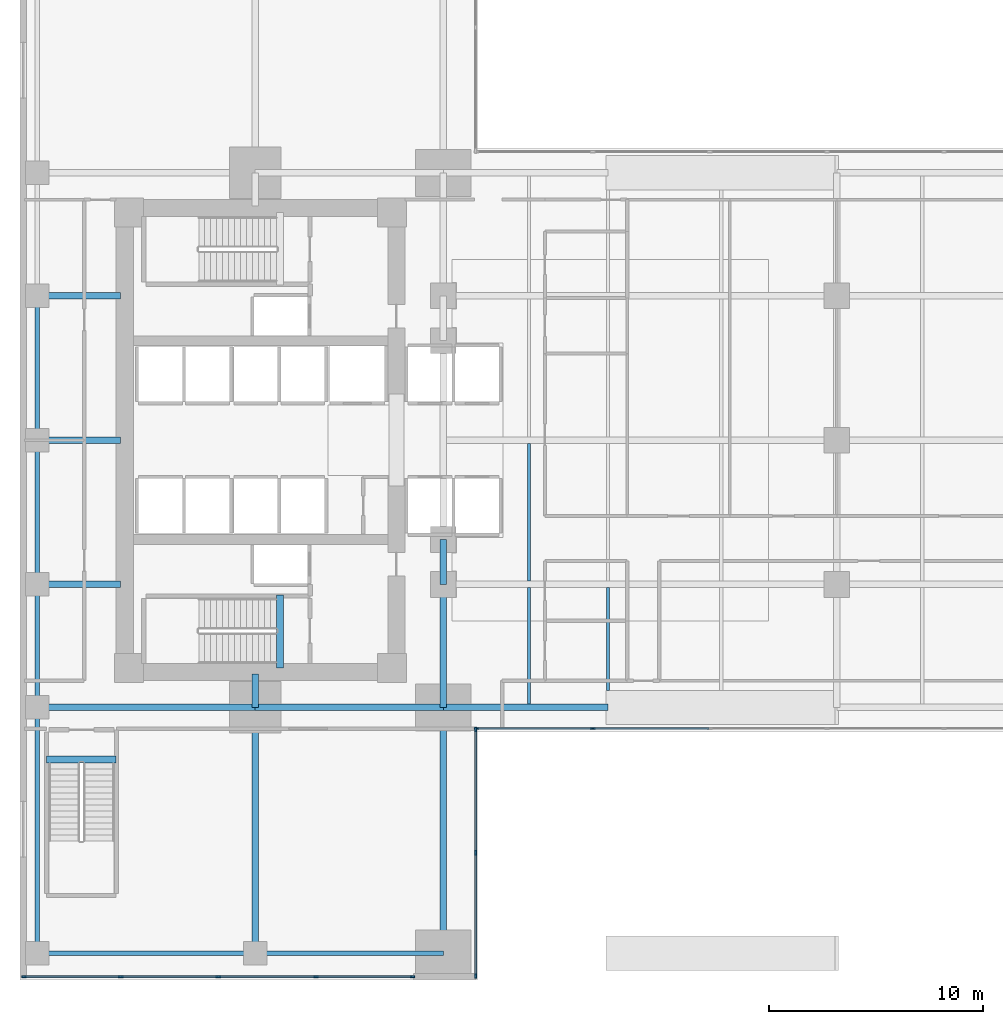
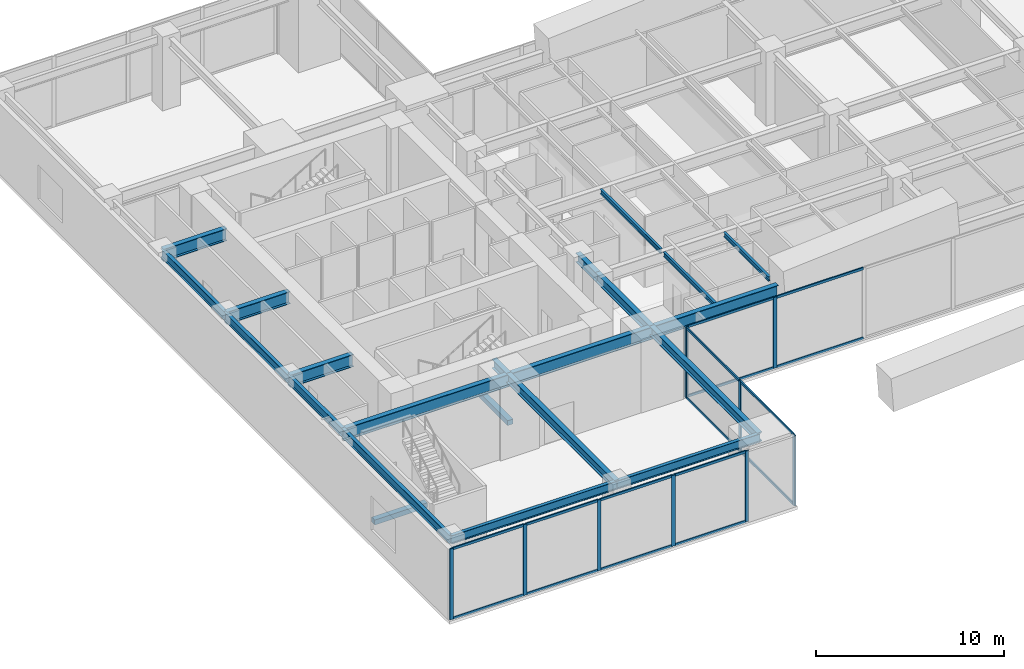
# One storey, part 2 of 13: 26 members, 22 beams, 3 elements without a shape of their own.
"""IFC4 building model written with IfcOpenShell, lengths in metres."""

import ifcopenshell
import ifcopenshell.guid

model = None  # the IFC model being written
_history = None  # IfcOwnerHistory: only IFC2X3 demands one
_inside = {}  # id of a spatial element -> (the spatial element, [elements in it])
_under = {}  # id of a project, library or spatial element -> (it, [spatial elements below it])
_declared = {}  # id of a project -> (the project, [libraries it declares])
_typed = {}  # id of a type object -> (the type object, [elements of that type])
_made_of = {}  # id of a material, layer set ... -> (it, [elements and type objects made of it])


def new_model(schema):
    """Start an empty IFC model of exactly this schema.

    Asked for "IFC4X3", IfcOpenShell would pick the latest addendum, in which some entities
    have other attributes; the version numbers below select the first issue.
    IFC2X3 requires an IfcOwnerHistory on every rooted entity: one is made here for all.
    """
    global model, _history
    if schema == "IFC4X3":
        model = ifcopenshell.file(schema_version=(4, 3, 0, 0))
    else:
        model = ifcopenshell.file(schema=schema)
    _inside.clear()
    _under.clear()
    _declared.clear()
    _typed.clear()
    _made_of.clear()
    _history = None
    if model.schema == "IFC2X3":
        org = make("IfcOrganization", Name="unknown")
        user = make(
            "IfcPersonAndOrganization",
            ThePerson=make("IfcPerson", FamilyName="unknown"),
            TheOrganization=org,
        )
        app = make(
            "IfcApplication",
            ApplicationDeveloper=org,
            Version="unknown",
            ApplicationFullName="unknown",
            ApplicationIdentifier="unknown",
        )
        _history = make(
            "IfcOwnerHistory",
            OwningUser=user,
            OwningApplication=app,
            ChangeAction="ADDED",
            CreationDate=0,
        )
    return model


def make(cls, **values):
    """One entity of the class cls with the attributes given. An attribute that is None is left unset."""
    return model.create_entity(
        cls, **{name: value for name, value in values.items() if value is not None}
    )


def rooted(cls, **values):
    """An entity with a GlobalId (a new one), such as an element, a storey or a relation."""
    return make(cls, GlobalId=ifcopenshell.guid.new(), OwnerHistory=_history, **values)


def si_unit(unit_type, name, prefix=None):
    """IfcSIUnit, for example si_unit("LENGTHUNIT", "METRE", prefix="MILLI")."""
    return make("IfcSIUnit", UnitType=unit_type, Prefix=prefix, Name=name)


def assignment(units):
    """IfcUnitAssignment: the units of a project."""
    return None if units is None else make("IfcUnitAssignment", Units=units)


def point(xyz):
    """IfcCartesianPoint."""
    return None if xyz is None else make("IfcCartesianPoint", Coordinates=xyz)


def direction(xyz):
    """IfcDirection."""
    return None if xyz is None else make("IfcDirection", DirectionRatios=xyz)


def frame(location, z_axis=None, x_axis=None):
    """IfcAxis2Placement3D, a coordinate frame: its origin and axes. An axis left out is left unset."""
    return make(
        "IfcAxis2Placement3D",
        Location=point(location),
        Axis=direction(z_axis),
        RefDirection=direction(x_axis),
    )


def frame_2d(location, x_axis=None):
    """IfcAxis2Placement2D, a coordinate frame in the plane: its origin and x axis."""
    return make(
        "IfcAxis2Placement2D", Location=point(location), RefDirection=direction(x_axis)
    )


def origin():
    """The frame at (0, 0, 0) with its axes left unset."""
    return frame((0.0, 0.0, 0.0))


def origin_2d():
    """The frame at (0, 0) in the plane with its x axis left unset."""
    return frame_2d((0.0, 0.0))


def place(relative_to, where):
    """IfcLocalPlacement: puts the frame where relative to a parent placement (None: the world)."""
    return make(
        "IfcLocalPlacement", PlacementRelTo=relative_to, RelativePlacement=where
    )


def context(
    kind, dimensions, precision=None, world=None, true_north=None, identifier=None
):
    """IfcGeometricRepresentationContext, for example the 3D "Model" context."""
    return make(
        "IfcGeometricRepresentationContext",
        ContextIdentifier=identifier,
        ContextType=kind,
        CoordinateSpaceDimension=dimensions,
        Precision=precision,
        WorldCoordinateSystem=world,
        TrueNorth=true_north,
    )


def subcontext(parent, identifier, kind, view, scale=None):
    """IfcGeometricRepresentationSubContext, for example "Body" below "Model"."""
    return make(
        "IfcGeometricRepresentationSubContext",
        ContextIdentifier=identifier,
        ContextType=kind,
        ParentContext=parent,
        TargetScale=scale,
        TargetView=view,
    )


def project(units=None, contexts=None):
    """IfcProject with its units and contexts."""
    return rooted(
        "IfcProject",
        Name="project",
        RepresentationContexts=contexts,
        UnitsInContext=assignment(units),
    )


def spatial(cls, under=None, at=None, **own):
    """A site, building, storey or space (cls), placed at a placement, below another one or the project."""
    s = rooted(cls, ObjectPlacement=at, **own)
    if under is not None:
        _under.setdefault(under.id(), (under, []))[1].append(s)
    return s


def profile(cls, at=None, kind="AREA", **sizes):
    """A parametric profile (cls). Its sizes go by their IFC names, for example OverallWidth=200.0."""
    return make(cls, ProfileType=kind, Position=at, **sizes)


def rectangle(**sizes):
    """IfcRectangleProfileDef."""
    return profile("IfcRectangleProfileDef", **sizes)


def i_section(**sizes):
    """IfcIShapeProfileDef."""
    return profile("IfcIShapeProfileDef", **sizes)


def extrude(swept, where, along, depth):
    """IfcExtrudedAreaSolid: the profile swept, set in the frame where, extruded along a direction by depth."""
    return make(
        "IfcExtrudedAreaSolid",
        SweptArea=swept,
        Position=where,
        ExtrudedDirection=direction(along),
        Depth=depth,
    )


def shape(context_of_items, identifier, shape_type, items):
    """IfcShapeRepresentation: the items that make up one representation, for example the "Body"."""
    return make(
        "IfcShapeRepresentation",
        ContextOfItems=context_of_items,
        RepresentationIdentifier=identifier,
        RepresentationType=shape_type,
        Items=items,
    )


def material(Name=None, Category=None):
    """IfcMaterial."""
    return make("IfcMaterial", Name=Name, Category=Category)


def layer(
    of_material, thickness, ventilated=None, Name=None, Category=None, Priority=None
):
    """IfcMaterialLayer: one layer of a wall or slab, of a material (None: an air gap)."""
    return make(
        "IfcMaterialLayer",
        Material=of_material,
        LayerThickness=thickness,
        IsVentilated=ventilated,
        Name=Name,
        Category=Category,
        Priority=Priority,
    )


def layer_set(layers, Name=None):
    """IfcMaterialLayerSet."""
    return make("IfcMaterialLayerSet", MaterialLayers=layers, LayerSetName=Name)


def material_profile(
    of_material, cross_section, Name=None, Category=None, Priority=None
):
    """IfcMaterialProfile: a cross section and its material."""
    return make(
        "IfcMaterialProfile",
        Name=Name,
        Material=of_material,
        Profile=cross_section,
        Priority=Priority,
        Category=Category,
    )


def profile_set(profiles, Name=None, composite=None):
    """IfcMaterialProfileSet."""
    return make(
        "IfcMaterialProfileSet",
        Name=Name,
        MaterialProfiles=profiles,
        CompositeProfile=composite,
    )


def made_of(thing, what):
    """Note that an element or type object is made of a material, layer set ...; save() writes the relation."""
    if what is not None:
        _made_of.setdefault(what.id(), (what, []))[1].append(thing)
    return thing


def type_object(cls, material=None, **own):
    """A type object (cls), such as IfcWallType, which elements share."""
    return made_of(rooted(cls, **own), material)


def element(
    cls,
    number,
    at=None,
    inside=None,
    cuts=None,
    type_object=None,
    material=None,
    context=None,
    identifier="Body",
    shape_type=None,
    held_by="IfcProductDefinitionShape",
    body=None,
    shapes=None,
    **own,
):
    """One element of the class cls, such as IfcWall. Its Tag is "e" and its number.

    at: its placement. inside: the storey or other place that contains it. cuts: it is an
    opening in that element (IfcRelVoidsElement). A single representation is given by context,
    identifier, shape_type and body (its items); several are given by shapes. held_by: the class
    of the entity that holds the representations. save() writes the other relations.
    """
    e = rooted(cls, Tag="e%d" % number, ObjectPlacement=at, **own)
    if body is not None:
        shapes = [shape(context, identifier, shape_type, body)]
    if shapes is not None:
        e.Representation = make(held_by, Representations=shapes)
    if inside is not None:
        _inside.setdefault(inside.id(), (inside, []))[1].append(e)
    if cuts is not None:
        rooted(
            "IfcRelVoidsElement", RelatingBuildingElement=cuts, RelatedOpeningElement=e
        )
    if type_object is not None:
        _typed.setdefault(type_object.id(), (type_object, []))[1].append(e)
    return made_of(e, material)


def aggregate(whole, parts):
    """IfcRelAggregates: a whole, such as a stair, and the parts it consists of."""
    return rooted("IfcRelAggregates", RelatingObject=whole, RelatedObjects=parts)


def save(model, path):
    """Write the relations noted so far, then the file.

    IfcRelAggregates (storeys below a building ...), IfcRelContainedInSpatialStructure (elements
    in a storey), IfcRelDefinesByType, IfcRelAssociatesMaterial and IfcRelDeclares: one each for
    every whole, place, type object, material and project.
    """
    for whole, parts in _under.values():
        aggregate(whole, parts)
    for where, things in _inside.values():
        rooted(
            "IfcRelContainedInSpatialStructure",
            RelatedElements=things,
            RelatingStructure=where,
        )
    for kind, things in _typed.values():
        rooted("IfcRelDefinesByType", RelatedObjects=things, RelatingType=kind)
    for what, things in _made_of.values():
        rooted("IfcRelAssociatesMaterial", RelatedObjects=things, RelatingMaterial=what)
    for by, libraries in _declared.values():
        rooted("IfcRelDeclares", RelatingContext=by, RelatedDefinitions=libraries)
    model.write(path)


model = new_model("IFC4")

# Units and contexts
model_context = context("Model", 3, precision=1e-05, world=origin(), true_north=direction((0.0, 1.0)))
body_context = subcontext(model_context, "Body", "Model", "MODEL_VIEW")
ifc_project = project(units=[si_unit("LENGTHUNIT", "METRE"), si_unit("AREAUNIT", "SQUARE_METRE"), si_unit("VOLUMEUNIT", "CUBIC_METRE"), si_unit("PLANEANGLEUNIT", "RADIAN"), si_unit("MASSUNIT", "GRAM", prefix="KILO")], contexts=[model_context])

# Site, building, storey
site_placement = place(None, origin())
site = spatial("IfcSite", under=ifc_project, at=site_placement, CompositionType="ELEMENT")
building_placement = place(site_placement, origin())
building = spatial("IfcBuilding", under=site, at=building_placement, Name="Kinhvarn Gate Tower", CompositionType="ELEMENT")
storey_placement = place(building_placement, frame((0.0, 0.0, 10.800048828125)))
storey = spatial("IfcBuildingStorey", under=building, at=storey_placement, Name="L02", CompositionType="ELEMENT", Elevation=10.800048828125)

# Beams
ifc_material_1 = material(Name="Concrete C50/60", Category="concrete")
ifc_material_profile_1 = material_profile(ifc_material_1, rectangle(XDim=0.340087890625, YDim=0.320068359375, at=origin_2d()), Name="RC 340x320")
ifc_profile_set_1 = profile_set([ifc_material_profile_1], Name="Concrete C50/60")
beam_type_1 = type_object("IfcBeamType", Name="BM-LND-500", PredefinedType="BEAM", material=ifc_profile_set_1)
beam_1_placement = place(storey_placement, frame((12.1650390625, 14.60009765625, -0.16015625), z_axis=(0.0, 1.0, 0.0), x_axis=(-1.0, 0.0, 0.0)))
element("IfcBeam", 1, at=beam_1_placement, inside=storey, type_object=beam_type_1, Name="Stair ST1 Landing Nosing Beam (L02)", PredefinedType="BEAM", context=body_context, shape_type="SweptSolid", body=[
    extrude(rectangle(XDim=0.340087890625, YDim=0.320068359375, at=origin_2d()), origin(), (0.0, 0.0, 1.0), 3.39990234375),
])
beam_2_placement = place(storey_placement, frame((1.25, 10.31494140625, -0.16015625), z_axis=(1.0, 0.0, 0.0), x_axis=(0.0, 1.0, 0.0)))
element("IfcBeam", 2, at=beam_2_placement, inside=storey, type_object=beam_type_1, Name="Stair ST3 Landing Nosing Beam (L02)", PredefinedType="BEAM", context=body_context, shape_type="SweptSolid", body=[
    extrude(rectangle(XDim=0.340087890625, YDim=0.320068359375, at=origin_2d()), origin(), (0.0, 0.0, 1.0), 3.25),
])

# Curtain wall, members
ifc_material_2 = material(Name="Anodised aluminium AW-6063", Category="aluminium")
ifc_layer = layer(ifc_material_2, 0.219970703125)
ifc_layer_set = layer_set([ifc_layer], Name="Anodised aluminium AW-6063")
curtain_wall_type = type_object("IfcCurtainWallType", Name="CW-SYS-1", PredefinedType="NOTDEFINED", material=ifc_layer_set)
curtain_wall_1_placement = place(storey_placement, origin())
curtain_wall_1 = element("IfcCurtainWall", 3, at=curtain_wall_1_placement, inside=storey, type_object=curtain_wall_type, Name="Curtain Wall CW1 (L02)", PredefinedType="NOTDEFINED")
ifc_material_profile_2 = material_profile(ifc_material_2, rectangle(XDim=0.080078125, YDim=0.219970703125, at=origin_2d()), Name="ALU 80x220")
ifc_profile_set_2 = profile_set([ifc_material_profile_2], Name="Anodised aluminium AW-6063")
member_type_1 = type_object("IfcMemberType", Name="CW-MUL-220", PredefinedType="MULLION", material=ifc_profile_set_2)
member_1_placement = place(storey_placement, frame((0.18994140625, 0.14990234375, 0.0), z_axis=(0.0, 0.0, 1.0), x_axis=(0.0, 1.0, 0.0)))
member_1 = element("IfcMember", 4, at=member_1_placement, type_object=member_type_1, Name="CW1 mullion 1", PredefinedType="MULLION", context=body_context, shape_type="SweptSolid", body=[
    extrude(rectangle(XDim=0.080078125, YDim=0.219970703125, at=origin_2d()), origin(), (0.0, 0.0, 1.0), 4.599853515625),
])
member_2_placement = place(storey_placement, frame((4.71240234375, 0.14990234375, 0.0), z_axis=(0.0, 0.0, 1.0), x_axis=(0.0, 1.0, 0.0)))
member_2 = element("IfcMember", 5, at=member_2_placement, type_object=member_type_1, Name="CW1 mullion 2", PredefinedType="MULLION", context=body_context, shape_type="SweptSolid", body=[
    extrude(rectangle(XDim=0.080078125, YDim=0.219970703125, at=origin_2d()), origin(), (0.0, 0.0, 1.0), 4.599853515625),
])
member_3_placement = place(storey_placement, frame((9.27490234375, 0.14990234375, 0.0), z_axis=(0.0, 0.0, 1.0), x_axis=(0.0, 1.0, 0.0)))
member_3 = element("IfcMember", 6, at=member_3_placement, type_object=member_type_1, Name="CW1 mullion 3", PredefinedType="MULLION", context=body_context, shape_type="SweptSolid", body=[
    extrude(rectangle(XDim=0.080078125, YDim=0.219970703125, at=origin_2d()), origin(), (0.0, 0.0, 1.0), 4.599853515625),
])
member_4_placement = place(storey_placement, frame((13.83740234375, 0.14990234375, 0.0), z_axis=(0.0, 0.0, 1.0), x_axis=(0.0, 1.0, 0.0)))
member_4 = element("IfcMember", 7, at=member_4_placement, type_object=member_type_1, Name="CW1 mullion 4", PredefinedType="MULLION", context=body_context, shape_type="SweptSolid", body=[
    extrude(rectangle(XDim=0.080078125, YDim=0.219970703125, at=origin_2d()), origin(), (0.0, 0.0, 1.0), 4.599853515625),
])
member_5_placement = place(storey_placement, frame((18.360107421875, 0.14990234375, 0.0), z_axis=(0.0, 0.0, 1.0), x_axis=(0.0, 1.0, 0.0)))
member_5 = element("IfcMember", 8, at=member_5_placement, type_object=member_type_1, Name="CW1 mullion 5", PredefinedType="MULLION", context=body_context, shape_type="SweptSolid", body=[
    extrude(rectangle(XDim=0.080078125, YDim=0.219970703125, at=origin_2d()), origin(), (0.0, 0.0, 1.0), 4.599853515625),
])

curtain_wall_2_placement = place(storey_placement, origin())
curtain_wall_2 = element("IfcCurtainWall", 9, at=curtain_wall_2_placement, inside=storey, type_object=curtain_wall_type, Name="Curtain Wall CW1 (L02)", PredefinedType="NOTDEFINED")
member_6_placement = place(storey_placement, frame((21.31005859375, 0.18994140625, 0.0), z_axis=(0.0, 0.0, 1.0), x_axis=(-1.0, 0.0, 0.0)))
member_6 = element("IfcMember", 10, at=member_6_placement, type_object=member_type_1, Name="CW1 mullion 1", PredefinedType="MULLION", context=body_context, shape_type="SweptSolid", body=[
    extrude(rectangle(XDim=0.080078125, YDim=0.219970703125, at=origin_2d()), origin(), (0.0, 0.0, 1.0), 4.599853515625),
])
member_7_placement = place(storey_placement, frame((21.31005859375, 5.955078125, 0.0), z_axis=(0.0, 0.0, 1.0), x_axis=(-1.0, 0.0, 0.0)))
member_7 = element("IfcMember", 11, at=member_7_placement, type_object=member_type_1, Name="CW1 mullion 2", PredefinedType="MULLION", context=body_context, shape_type="SweptSolid", body=[
    extrude(rectangle(XDim=0.080078125, YDim=0.219970703125, at=origin_2d()), origin(), (0.0, 0.0, 1.0), 4.599853515625),
])
member_8_placement = place(storey_placement, frame((21.31005859375, 11.719970703125, 0.0), z_axis=(0.0, 0.0, 1.0), x_axis=(-1.0, 0.0, 0.0)))
member_8 = element("IfcMember", 12, at=member_8_placement, type_object=member_type_1, Name="CW1 mullion 3", PredefinedType="MULLION", context=body_context, shape_type="SweptSolid", body=[
    extrude(rectangle(XDim=0.080078125, YDim=0.219970703125, at=origin_2d()), origin(), (0.0, 0.0, 1.0), 4.599853515625),
])

curtain_wall_3_placement = place(storey_placement, origin())
curtain_wall_3 = element("IfcCurtainWall", 13, at=curtain_wall_3_placement, inside=storey, type_object=curtain_wall_type, Name="Curtain Wall CW1 (L02)", PredefinedType="NOTDEFINED")
member_9_placement = place(storey_placement, frame((21.35009765625, 11.760009765625, 0.0), z_axis=(0.0, 0.0, 1.0), x_axis=(0.0, 1.0, 0.0)))
member_9 = element("IfcMember", 14, at=member_9_placement, type_object=member_type_1, Name="CW1 mullion 1", PredefinedType="MULLION", context=body_context, shape_type="SweptSolid", body=[
    extrude(rectangle(XDim=0.080078125, YDim=0.219970703125, at=origin_2d()), origin(), (0.0, 0.0, 1.0), 4.599853515625),
])
member_10_placement = place(storey_placement, frame((26.785888671875, 11.760009765625, 0.0), z_axis=(0.0, 0.0, 1.0), x_axis=(0.0, 1.0, 0.0)))
member_10 = element("IfcMember", 15, at=member_10_placement, type_object=member_type_1, Name="CW1 mullion 2", PredefinedType="MULLION", context=body_context, shape_type="SweptSolid", body=[
    extrude(rectangle(XDim=0.080078125, YDim=0.219970703125, at=origin_2d()), origin(), (0.0, 0.0, 1.0), 4.599853515625),
])

# Member
ifc_material_profile_3 = material_profile(ifc_material_2, rectangle(XDim=0.080078125, YDim=0.159912109375, at=origin_2d()), Name="ALU 80x160")
ifc_profile_set_3 = profile_set([ifc_material_profile_3], Name="Anodised aluminium AW-6063")
member_type_2 = type_object("IfcMemberType", Name="CW-TRN-160", PredefinedType="USERDEFINED", material=ifc_profile_set_3)
member_11_placement = place(storey_placement, frame((0.22998046875, 0.14990234375, 0.0400390625), z_axis=(1.0, 0.0, 0.0), x_axis=(0.0, 1.0, 0.0)))
member_11 = element("IfcMember", 16, at=member_11_placement, type_object=member_type_2, Name="CW1 transom 1.1", ObjectType="TRANSOM", PredefinedType="USERDEFINED", context=body_context, shape_type="SweptSolid", body=[
    extrude(rectangle(XDim=0.080078125, YDim=0.159912109375, at=origin_2d()), origin(), (0.0, 0.0, 1.0), 4.442626953125),
])

member_12_placement = place(storey_placement, frame((0.22998046875, 0.14990234375, 4.56005859375), z_axis=(1.0, 0.0, 0.0), x_axis=(0.0, 1.0, 0.0)))
member_12 = element("IfcMember", 17, at=member_12_placement, type_object=member_type_2, Name="CW1 transom 1.2", ObjectType="TRANSOM", PredefinedType="USERDEFINED", context=body_context, shape_type="SweptSolid", body=[
    extrude(rectangle(XDim=0.080078125, YDim=0.159912109375, at=origin_2d()), origin(), (0.0, 0.0, 1.0), 4.442626953125),
])

member_13_placement = place(storey_placement, frame((4.75244140625, 0.14990234375, 0.0400390625), z_axis=(1.0, 0.0, 0.0), x_axis=(0.0, 1.0, 0.0)))
member_13 = element("IfcMember", 18, at=member_13_placement, type_object=member_type_2, Name="CW1 transom 2.1", ObjectType="TRANSOM", PredefinedType="USERDEFINED", context=body_context, shape_type="SweptSolid", body=[
    extrude(rectangle(XDim=0.080078125, YDim=0.159912109375, at=origin_2d()), origin(), (0.0, 0.0, 1.0), 4.482666015625),
])

member_14_placement = place(storey_placement, frame((4.75244140625, 0.14990234375, 4.56005859375), z_axis=(1.0, 0.0, 0.0), x_axis=(0.0, 1.0, 0.0)))
member_14 = element("IfcMember", 19, at=member_14_placement, type_object=member_type_2, Name="CW1 transom 2.2", ObjectType="TRANSOM", PredefinedType="USERDEFINED", context=body_context, shape_type="SweptSolid", body=[
    extrude(rectangle(XDim=0.080078125, YDim=0.159912109375, at=origin_2d()), origin(), (0.0, 0.0, 1.0), 4.482666015625),
])

member_15_placement = place(storey_placement, frame((9.31494140625, 0.14990234375, 0.0400390625), z_axis=(1.0, 0.0, 0.0), x_axis=(0.0, 1.0, 0.0)))
member_15 = element("IfcMember", 20, at=member_15_placement, type_object=member_type_2, Name="CW1 transom 3.1", ObjectType="TRANSOM", PredefinedType="USERDEFINED", context=body_context, shape_type="SweptSolid", body=[
    extrude(rectangle(XDim=0.080078125, YDim=0.159912109375, at=origin_2d()), origin(), (0.0, 0.0, 1.0), 4.482666015625),
])

member_16_placement = place(storey_placement, frame((9.31494140625, 0.14990234375, 4.56005859375), z_axis=(1.0, 0.0, 0.0), x_axis=(0.0, 1.0, 0.0)))
member_16 = element("IfcMember", 21, at=member_16_placement, type_object=member_type_2, Name="CW1 transom 3.2", ObjectType="TRANSOM", PredefinedType="USERDEFINED", context=body_context, shape_type="SweptSolid", body=[
    extrude(rectangle(XDim=0.080078125, YDim=0.159912109375, at=origin_2d()), origin(), (0.0, 0.0, 1.0), 4.482666015625),
])

member_17_placement = place(storey_placement, frame((13.87744140625, 0.14990234375, 0.0400390625), z_axis=(1.0, 0.0, 0.0), x_axis=(0.0, 1.0, 0.0)))
member_17 = element("IfcMember", 22, at=member_17_placement, type_object=member_type_2, Name="CW1 transom 4.1", ObjectType="TRANSOM", PredefinedType="USERDEFINED", context=body_context, shape_type="SweptSolid", body=[
    extrude(rectangle(XDim=0.080078125, YDim=0.159912109375, at=origin_2d()), origin(), (0.0, 0.0, 1.0), 4.442626953125),
])

member_18_placement = place(storey_placement, frame((13.87744140625, 0.14990234375, 4.56005859375), z_axis=(1.0, 0.0, 0.0), x_axis=(0.0, 1.0, 0.0)))
member_18 = element("IfcMember", 23, at=member_18_placement, type_object=member_type_2, Name="CW1 transom 4.2", ObjectType="TRANSOM", PredefinedType="USERDEFINED", context=body_context, shape_type="SweptSolid", body=[
    extrude(rectangle(XDim=0.080078125, YDim=0.159912109375, at=origin_2d()), origin(), (0.0, 0.0, 1.0), 4.442626953125),
])

aggregate(curtain_wall_1, [member_1, member_2, member_3, member_4, member_5, member_11, member_12, member_13, member_14, member_15, member_16, member_17, member_18])

member_19_placement = place(storey_placement, frame((21.31005859375, 0.22998046875, 0.0400390625), z_axis=(0.0, 1.0, 0.0), x_axis=(-1.0, 0.0, 0.0)))
member_19 = element("IfcMember", 24, at=member_19_placement, type_object=member_type_2, Name="CW1 transom 1.1", ObjectType="TRANSOM", PredefinedType="USERDEFINED", context=body_context, shape_type="SweptSolid", body=[
    extrude(rectangle(XDim=0.080078125, YDim=0.159912109375, at=origin_2d()), origin(), (0.0, 0.0, 1.0), 5.68505859375),
])

member_20_placement = place(storey_placement, frame((21.31005859375, 0.22998046875, 4.56005859375), z_axis=(0.0, 1.0, 0.0), x_axis=(-1.0, 0.0, 0.0)))
member_20 = element("IfcMember", 25, at=member_20_placement, type_object=member_type_2, Name="CW1 transom 1.2", ObjectType="TRANSOM", PredefinedType="USERDEFINED", context=body_context, shape_type="SweptSolid", body=[
    extrude(rectangle(XDim=0.080078125, YDim=0.159912109375, at=origin_2d()), origin(), (0.0, 0.0, 1.0), 5.68505859375),
])

member_21_placement = place(storey_placement, frame((21.31005859375, 5.9951171875, 0.0400390625), z_axis=(0.0, 1.0, 0.0), x_axis=(-1.0, 0.0, 0.0)))
member_21 = element("IfcMember", 26, at=member_21_placement, type_object=member_type_2, Name="CW1 transom 2.1", ObjectType="TRANSOM", PredefinedType="USERDEFINED", context=body_context, shape_type="SweptSolid", body=[
    extrude(rectangle(XDim=0.080078125, YDim=0.159912109375, at=origin_2d()), origin(), (0.0, 0.0, 1.0), 5.684814453125),
])

member_22_placement = place(storey_placement, frame((21.31005859375, 5.9951171875, 4.56005859375), z_axis=(0.0, 1.0, 0.0), x_axis=(-1.0, 0.0, 0.0)))
member_22 = element("IfcMember", 27, at=member_22_placement, type_object=member_type_2, Name="CW1 transom 2.2", ObjectType="TRANSOM", PredefinedType="USERDEFINED", context=body_context, shape_type="SweptSolid", body=[
    extrude(rectangle(XDim=0.080078125, YDim=0.159912109375, at=origin_2d()), origin(), (0.0, 0.0, 1.0), 5.684814453125),
])

aggregate(curtain_wall_2, [member_6, member_7, member_8, member_19, member_20, member_21, member_22])

member_23_placement = place(storey_placement, frame((21.389892578125, 11.760009765625, 0.0400390625), z_axis=(1.0, 0.0, 0.0), x_axis=(0.0, 1.0, 0.0)))
member_23 = element("IfcMember", 28, at=member_23_placement, type_object=member_type_2, Name="CW1 transom 1.1", ObjectType="TRANSOM", PredefinedType="USERDEFINED", context=body_context, shape_type="SweptSolid", body=[
    extrude(rectangle(XDim=0.080078125, YDim=0.159912109375, at=origin_2d()), origin(), (0.0, 0.0, 1.0), 5.356201171875),
])

member_24_placement = place(storey_placement, frame((21.389892578125, 11.760009765625, 4.56005859375), z_axis=(1.0, 0.0, 0.0), x_axis=(0.0, 1.0, 0.0)))
member_24 = element("IfcMember", 29, at=member_24_placement, type_object=member_type_2, Name="CW1 transom 1.2", ObjectType="TRANSOM", PredefinedType="USERDEFINED", context=body_context, shape_type="SweptSolid", body=[
    extrude(rectangle(XDim=0.080078125, YDim=0.159912109375, at=origin_2d()), origin(), (0.0, 0.0, 1.0), 5.356201171875),
])

member_25_placement = place(storey_placement, frame((26.825927734375, 11.760009765625, 0.0400390625), z_axis=(1.0, 0.0, 0.0), x_axis=(0.0, 1.0, 0.0)))
member_25 = element("IfcMember", 30, at=member_25_placement, type_object=member_type_2, Name="CW1 transom 2.1", ObjectType="TRANSOM", PredefinedType="USERDEFINED", context=body_context, shape_type="SweptSolid", body=[
    extrude(rectangle(XDim=0.080078125, YDim=0.159912109375, at=origin_2d()), origin(), (0.0, 0.0, 1.0), 5.39599609375),
])

member_26_placement = place(storey_placement, frame((26.825927734375, 11.760009765625, 4.56005859375), z_axis=(1.0, 0.0, 0.0), x_axis=(0.0, 1.0, 0.0)))
member_26 = element("IfcMember", 31, at=member_26_placement, type_object=member_type_2, Name="CW1 transom 2.2", ObjectType="TRANSOM", PredefinedType="USERDEFINED", context=body_context, shape_type="SweptSolid", body=[
    extrude(rectangle(XDim=0.080078125, YDim=0.159912109375, at=origin_2d()), origin(), (0.0, 0.0, 1.0), 5.39599609375),
])

aggregate(curtain_wall_3, [member_9, member_10, member_23, member_24, member_25, member_26])

# Beams
ifc_material_3 = material(Name="Steel S355", Category="steel")
ifc_material_profile_4 = material_profile(ifc_material_3, i_section(OverallWidth=0.300048828125, OverallDepth=0.60009765625, WebThickness=0.015380859375, FlangeThickness=0.030029296875, at=origin_2d()), Name="HEB 600")
ifc_profile_set_4 = profile_set([ifc_material_profile_4], Name="Steel S355")
beam_type_2 = type_object("IfcBeamType", Name="STL-HEB600", PredefinedType="BEAM", material=ifc_profile_set_4)
beam_3_placement = place(storey_placement, frame((11.0, 1.25, 4.300048828125), z_axis=(0.0, 1.0, 0.0), x_axis=(-1.0, 0.0, 0.0)))
element("IfcBeam", 32, at=beam_3_placement, inside=storey, type_object=beam_type_2, Name="Floor Beam PG-16 (L02 NS11-S)", PredefinedType="BEAM", context=body_context, shape_type="SweptSolid", body=[
    extrude(i_section(OverallWidth=0.300048828125, OverallDepth=0.60009765625, WebThickness=0.015380859375, FlangeThickness=0.030029296875, at=origin_2d()), origin(), (0.0, 0.0, 1.0), 11.5),
])
beam_4_placement = place(storey_placement, frame((11.0, 12.75, 4.300048828125), z_axis=(0.0, 1.0, 0.0), x_axis=(-1.0, 0.0, 0.0)))
element("IfcBeam", 33, at=beam_4_placement, inside=storey, type_object=beam_type_2, Name="Floor Beam PG-16 (L02 NS11-CS)", PredefinedType="BEAM", context=body_context, shape_type="SweptSolid", body=[
    extrude(i_section(OverallWidth=0.300048828125, OverallDepth=0.60009765625, WebThickness=0.015380859375, FlangeThickness=0.030029296875, at=origin_2d()), origin(), (0.0, 0.0, 1.0), 1.550048828125),
])
beam_5_placement = place(storey_placement, frame((19.800048828125, 1.25, 4.300048828125), z_axis=(0.0, 1.0, 0.0), x_axis=(-1.0, 0.0, 0.0)))
element("IfcBeam", 34, at=beam_5_placement, inside=storey, type_object=beam_type_2, Name="Floor Beam PG-16 (L02 APW-1)", PredefinedType="BEAM", context=body_context, shape_type="SweptSolid", body=[
    extrude(i_section(OverallWidth=0.300048828125, OverallDepth=0.60009765625, WebThickness=0.015380859375, FlangeThickness=0.030029296875, at=origin_2d()), origin(), (0.0, 0.0, 1.0), 11.5),
])
beam_6_placement = place(storey_placement, frame((19.800048828125, 12.75, 4.300048828125), z_axis=(0.0, 1.0, 0.0), x_axis=(-1.0, 0.0, 0.0)))
element("IfcBeam", 35, at=beam_6_placement, inside=storey, type_object=beam_type_2, Name="Floor Beam PG-16 (L02 APW-2)", PredefinedType="BEAM", context=body_context, shape_type="SweptSolid", body=[
    extrude(i_section(OverallWidth=0.300048828125, OverallDepth=0.60009765625, WebThickness=0.015380859375, FlangeThickness=0.030029296875, at=origin_2d()), origin(), (0.0, 0.0, 1.0), 5.75),
])
beam_7_placement = place(storey_placement, frame((19.800048828125, 18.5, 4.300048828125), z_axis=(0.0, 1.0, 0.0), x_axis=(-1.0, 0.0, 0.0)))
element("IfcBeam", 36, at=beam_7_placement, inside=storey, type_object=beam_type_2, Name="Floor Beam PG-16 (L02 APW-3)", PredefinedType="BEAM", context=body_context, shape_type="SweptSolid", body=[
    extrude(i_section(OverallWidth=0.300048828125, OverallDepth=0.60009765625, WebThickness=0.015380859375, FlangeThickness=0.030029296875, at=origin_2d()), origin(), (0.0, 0.0, 1.0), 2.10009765625),
])
ifc_material_profile_5 = material_profile(ifc_material_3, i_section(OverallWidth=0.300048828125, OverallDepth=0.800048828125, WebThickness=0.017578125, FlangeThickness=0.032958984375, at=origin_2d()), Name="HEB 800")
ifc_profile_set_5 = profile_set([ifc_material_profile_5], Name="Steel S355")
beam_type_3 = type_object("IfcBeamType", Name="STL-HEB800", PredefinedType="BEAM", material=ifc_profile_set_5)
beam_8_placement = place(storey_placement, frame((0.800048828125, 12.75, 4.199951171875), z_axis=(1.0, 0.0, 0.0), x_axis=(0.0, 1.0, 0.0)))
element("IfcBeam", 37, at=beam_8_placement, inside=storey, type_object=beam_type_3, Name="Floor Beam PG-19 (L02 SPS-1)", PredefinedType="BEAM", context=body_context, shape_type="SweptSolid", body=[
    extrude(i_section(OverallWidth=0.300048828125, OverallDepth=0.800048828125, WebThickness=0.017578125, FlangeThickness=0.032958984375, at=origin_2d()), origin(), (0.0, 0.0, 1.0), 10.199951171875),
])
beam_9_placement = place(storey_placement, frame((11.0, 12.75, 4.199951171875), z_axis=(1.0, 0.0, 0.0), x_axis=(0.0, 1.0, 0.0)))
element("IfcBeam", 38, at=beam_9_placement, inside=storey, type_object=beam_type_3, Name="Floor Beam PG-19 (L02 SPS-2)", PredefinedType="BEAM", context=body_context, shape_type="SweptSolid", body=[
    extrude(i_section(OverallWidth=0.300048828125, OverallDepth=0.800048828125, WebThickness=0.017578125, FlangeThickness=0.032958984375, at=origin_2d()), origin(), (0.0, 0.0, 1.0), 8.800048828125),
])
for number, where, z_axis, x_axis, name in (
    (39, (0.800048828125, 18.5, 4.199951171875), (1.0, 0.0, 0.0), (0.0, 1.0, 0.0), "Floor Beam PG-19 (L02 W-MID-18)"),
    (40, (0.800048828125, 25.25, 4.199951171875), (1.0, 0.0, 0.0), (0.0, 1.0, 0.0), "Floor Beam PG-19 (L02 W-MID-25)"),
    (41, (0.800048828125, 32.0, 4.199951171875), (1.0, 0.0, 0.0), (0.0, 1.0, 0.0), "Floor Beam PG-19 (L02 W-MID-32)"),
):
    element("IfcBeam", number, at=place(storey_placement, frame(where, z_axis=z_axis, x_axis=x_axis)), inside=storey, type_object=beam_type_3, Name=name, PredefinedType="BEAM", context=body_context, shape_type="SweptSolid", body=[
        extrude(i_section(OverallWidth=0.300048828125, OverallDepth=0.800048828125, WebThickness=0.017578125, FlangeThickness=0.032958984375, at=origin_2d()), origin(), (0.0, 0.0, 1.0), 3.89990234375),
    ])
beam_10_placement = place(storey_placement, frame((19.800048828125, 12.75, 4.199951171875), z_axis=(1.0, 0.0, 0.0), x_axis=(0.0, 1.0, 0.0)))
element("IfcBeam", 42, at=beam_10_placement, inside=storey, type_object=beam_type_3, Name="Floor Beam PG-19 (L02 POD-S1)", PredefinedType="BEAM", context=body_context, shape_type="SweptSolid", body=[
    extrude(i_section(OverallWidth=0.300048828125, OverallDepth=0.800048828125, WebThickness=0.017578125, FlangeThickness=0.032958984375, at=origin_2d()), origin(), (0.0, 0.0, 1.0), 7.699951171875),
])
ifc_material_profile_6 = material_profile(ifc_material_3, i_section(OverallWidth=0.14990234375, OverallDepth=0.300048828125, WebThickness=0.007080078125, FlangeThickness=0.0107421875, at=origin_2d()), Name="IPE 300")
ifc_profile_set_6 = profile_set([ifc_material_profile_6], Name="Steel S355")
beam_type_4 = type_object("IfcBeamType", Name="STL-IPE300", PredefinedType="JOIST", material=ifc_profile_set_6)
beam_11_placement = place(storey_placement, frame((23.800048828125, 12.89990234375, 4.449951171875), z_axis=(0.0, 1.0, 0.0), x_axis=(-1.0, 0.0, 0.0)))
element("IfcBeam", 43, at=beam_11_placement, inside=storey, type_object=beam_type_4, Name="Floor Joist SB-02 (L02 POD-J238-12)", PredefinedType="JOIST", context=body_context, shape_type="SweptSolid", body=[
    extrude(i_section(OverallWidth=0.14990234375, OverallDepth=0.300048828125, WebThickness=0.007080078125, FlangeThickness=0.0107421875, at=origin_2d()), origin(), (0.0, 0.0, 1.0), 5.4501953125),
])
beam_12_placement = place(storey_placement, frame((27.5, 13.550048828125, 4.449951171875), z_axis=(0.0, 1.0, 0.0), x_axis=(-1.0, 0.0, 0.0)))
element("IfcBeam", 44, at=beam_12_placement, inside=storey, type_object=beam_type_4, Name="Floor Joist SB-02 (L02 POD-J275-12)", PredefinedType="JOIST", context=body_context, shape_type="SweptSolid", body=[
    extrude(i_section(OverallWidth=0.14990234375, OverallDepth=0.300048828125, WebThickness=0.007080078125, FlangeThickness=0.0107421875, at=origin_2d()), origin(), (0.0, 0.0, 1.0), 4.800048828125),
])
beam_13_placement = place(storey_placement, frame((23.800048828125, 18.64990234375, 4.449951171875), z_axis=(0.0, 1.0, 0.0), x_axis=(-1.0, 0.0, 0.0)))
element("IfcBeam", 45, at=beam_13_placement, inside=storey, type_object=beam_type_4, Name="Floor Joist SB-02 (L02 POD-J238-18)", PredefinedType="JOIST", context=body_context, shape_type="SweptSolid", body=[
    extrude(i_section(OverallWidth=0.14990234375, OverallDepth=0.300048828125, WebThickness=0.007080078125, FlangeThickness=0.0107421875, at=origin_2d()), origin(), (0.0, 0.0, 1.0), 6.4501953125),
])
ifc_material_profile_7 = material_profile(ifc_material_3, i_section(OverallWidth=0.2099609375, OverallDepth=0.550048828125, WebThickness=0.010986328125, FlangeThickness=0.01708984375, at=origin_2d()), Name="IPE 550")
ifc_profile_set_7 = profile_set([ifc_material_profile_7], Name="Steel S355")
beam_type_5 = type_object("IfcBeamType", Name="STL-IPE550", PredefinedType="SPANDREL", material=ifc_profile_set_7)
beam_14_placement = place(storey_placement, frame((0.800048828125, 1.25, 4.324951171875), z_axis=(0.0, 1.0, 0.0), x_axis=(-1.0, 0.0, 0.0)))
element("IfcBeam", 46, at=beam_14_placement, inside=storey, type_object=beam_type_5, Name="Floor Spandrel SB-08 (L02 PERW-1)", PredefinedType="SPANDREL", context=body_context, shape_type="SweptSolid", body=[
    extrude(i_section(OverallWidth=0.2099609375, OverallDepth=0.550048828125, WebThickness=0.010986328125, FlangeThickness=0.01708984375, at=origin_2d()), origin(), (0.0, 0.0, 1.0), 11.5),
])
beam_15_placement = place(storey_placement, frame((0.800048828125, 12.75, 4.324951171875), z_axis=(0.0, 1.0, 0.0), x_axis=(-1.0, 0.0, 0.0)))
element("IfcBeam", 47, at=beam_15_placement, inside=storey, type_object=beam_type_5, Name="Floor Spandrel SB-08 (L02 PERW-2)", PredefinedType="SPANDREL", context=body_context, shape_type="SweptSolid", body=[
    extrude(i_section(OverallWidth=0.2099609375, OverallDepth=0.550048828125, WebThickness=0.010986328125, FlangeThickness=0.01708984375, at=origin_2d()), origin(), (0.0, 0.0, 1.0), 5.75),
])
for number, where, z_axis, x_axis, name in (
    (48, (0.800048828125, 18.5, 4.324951171875), (0.0, 1.0, 0.0), (-1.0, 0.0, 0.0), "Floor Spandrel SB-08 (L02 PERW-3)"),
    (49, (0.800048828125, 25.25, 4.324951171875), (0.0, 1.0, 0.0), (-1.0, 0.0, 0.0), "Floor Spandrel SB-08 (L02 PERW-4)"),
):
    element("IfcBeam", number, at=place(storey_placement, frame(where, z_axis=z_axis, x_axis=x_axis)), inside=storey, type_object=beam_type_5, Name=name, PredefinedType="SPANDREL", context=body_context, shape_type="SweptSolid", body=[
        extrude(i_section(OverallWidth=0.2099609375, OverallDepth=0.550048828125, WebThickness=0.010986328125, FlangeThickness=0.01708984375, at=origin_2d()), origin(), (0.0, 0.0, 1.0), 6.75),
    ])
beam_16_placement = place(storey_placement, frame((0.800048828125, 1.25, 4.324951171875), z_axis=(1.0, 0.0, 0.0), x_axis=(0.0, 1.0, 0.0)))
element("IfcBeam", 50, at=beam_16_placement, inside=storey, type_object=beam_type_5, Name="Floor Spandrel SB-08 (L02 SP-POD-SW1)", PredefinedType="SPANDREL", context=body_context, shape_type="SweptSolid", body=[
    extrude(i_section(OverallWidth=0.2099609375, OverallDepth=0.550048828125, WebThickness=0.010986328125, FlangeThickness=0.01708984375, at=origin_2d()), origin(), (0.0, 0.0, 1.0), 10.199951171875),
])
beam_17_placement = place(storey_placement, frame((11.0, 1.25, 4.324951171875), z_axis=(1.0, 0.0, 0.0), x_axis=(0.0, 1.0, 0.0)))
element("IfcBeam", 51, at=beam_17_placement, inside=storey, type_object=beam_type_5, Name="Floor Spandrel SB-08 (L02 SP-POD-SW2)", PredefinedType="SPANDREL", context=body_context, shape_type="SweptSolid", body=[
    extrude(i_section(OverallWidth=0.2099609375, OverallDepth=0.550048828125, WebThickness=0.010986328125, FlangeThickness=0.01708984375, at=origin_2d()), origin(), (0.0, 0.0, 1.0), 8.800048828125),
])

save(model, "model.ifc")
